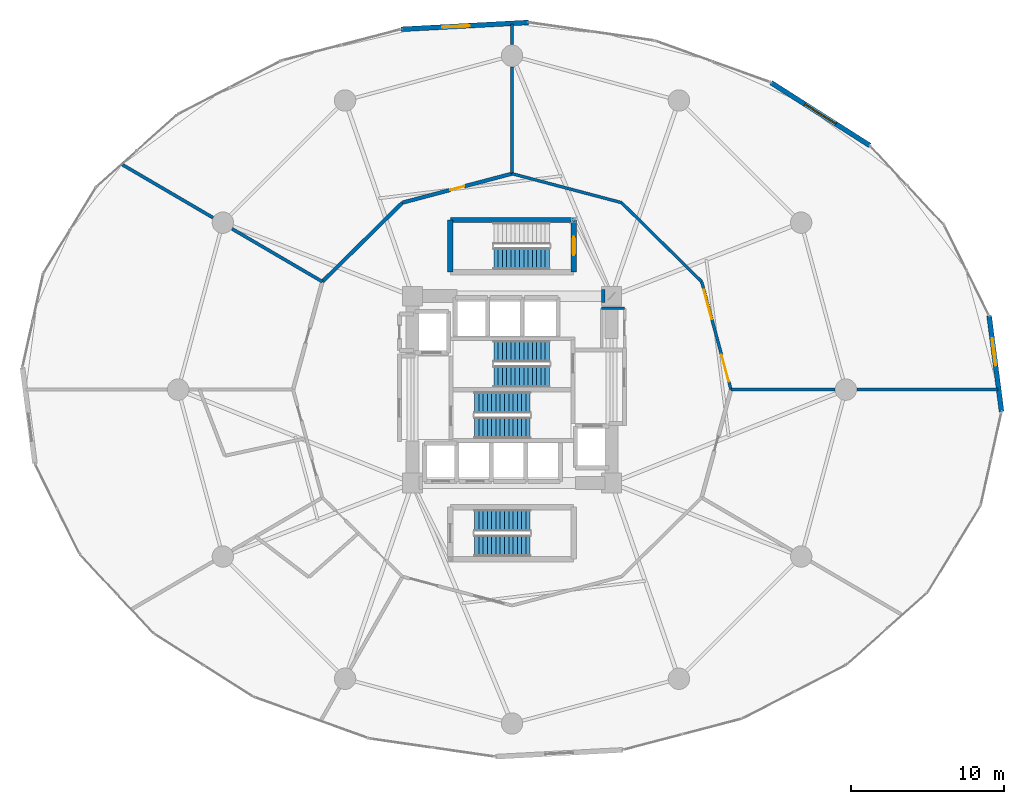
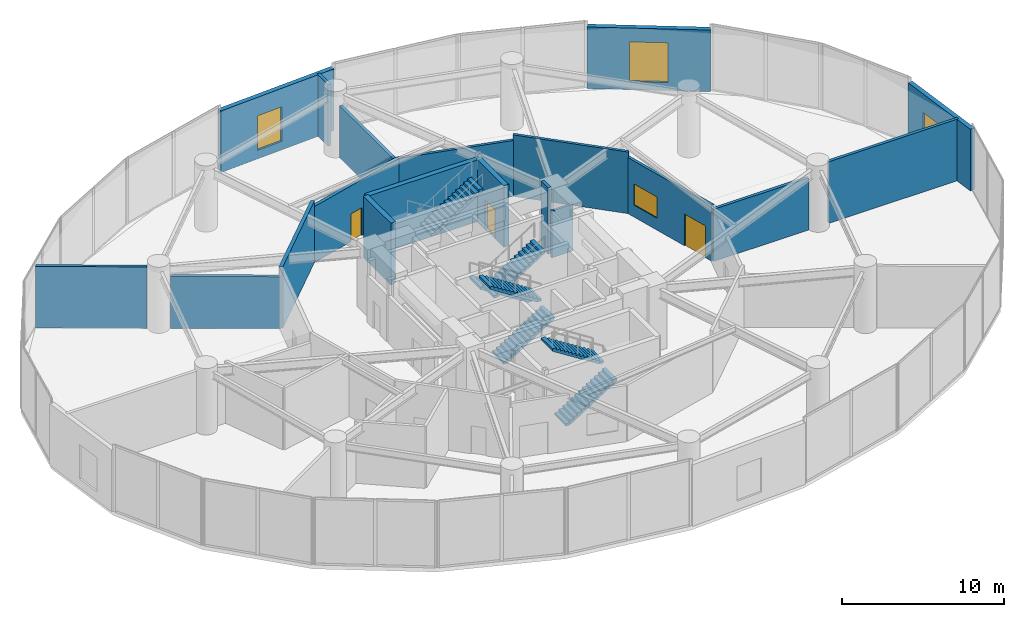
# One storey, part 27 of 31: 19 walls, 7 stair flights, 4 windows, 3 doors, 7 openings, 4 elements without a shape of their own.
"""IFC4 building model written with IfcOpenShell, lengths in metres."""

import ifcopenshell
import ifcopenshell.guid

model = None  # the IFC model being written
_history = None  # IfcOwnerHistory: only IFC2X3 demands one
_inside = {}  # id of a spatial element -> (the spatial element, [elements in it])
_under = {}  # id of a project, library or spatial element -> (it, [spatial elements below it])
_declared = {}  # id of a project -> (the project, [libraries it declares])
_typed = {}  # id of a type object -> (the type object, [elements of that type])
_made_of = {}  # id of a material, layer set ... -> (it, [elements and type objects made of it])


def new_model(schema):
    """Start an empty IFC model of exactly this schema.

    Asked for "IFC4X3", IfcOpenShell would pick the latest addendum, in which some entities
    have other attributes; the version numbers below select the first issue.
    IFC2X3 requires an IfcOwnerHistory on every rooted entity: one is made here for all.
    """
    global model, _history
    if schema == "IFC4X3":
        model = ifcopenshell.file(schema_version=(4, 3, 0, 0))
    else:
        model = ifcopenshell.file(schema=schema)
    _inside.clear()
    _under.clear()
    _declared.clear()
    _typed.clear()
    _made_of.clear()
    _history = None
    if model.schema == "IFC2X3":
        org = make("IfcOrganization", Name="unknown")
        user = make(
            "IfcPersonAndOrganization",
            ThePerson=make("IfcPerson", FamilyName="unknown"),
            TheOrganization=org,
        )
        app = make(
            "IfcApplication",
            ApplicationDeveloper=org,
            Version="unknown",
            ApplicationFullName="unknown",
            ApplicationIdentifier="unknown",
        )
        _history = make(
            "IfcOwnerHistory",
            OwningUser=user,
            OwningApplication=app,
            ChangeAction="ADDED",
            CreationDate=0,
        )
    return model


def make(cls, **values):
    """One entity of the class cls with the attributes given. An attribute that is None is left unset."""
    return model.create_entity(
        cls, **{name: value for name, value in values.items() if value is not None}
    )


def rooted(cls, **values):
    """An entity with a GlobalId (a new one), such as an element, a storey or a relation."""
    return make(cls, GlobalId=ifcopenshell.guid.new(), OwnerHistory=_history, **values)


def si_unit(unit_type, name, prefix=None):
    """IfcSIUnit, for example si_unit("LENGTHUNIT", "METRE", prefix="MILLI")."""
    return make("IfcSIUnit", UnitType=unit_type, Prefix=prefix, Name=name)


def assignment(units):
    """IfcUnitAssignment: the units of a project."""
    return None if units is None else make("IfcUnitAssignment", Units=units)


def point(xyz):
    """IfcCartesianPoint."""
    return None if xyz is None else make("IfcCartesianPoint", Coordinates=xyz)


def direction(xyz):
    """IfcDirection."""
    return None if xyz is None else make("IfcDirection", DirectionRatios=xyz)


def frame(location, z_axis=None, x_axis=None):
    """IfcAxis2Placement3D, a coordinate frame: its origin and axes. An axis left out is left unset."""
    return make(
        "IfcAxis2Placement3D",
        Location=point(location),
        Axis=direction(z_axis),
        RefDirection=direction(x_axis),
    )


def frame_2d(location, x_axis=None):
    """IfcAxis2Placement2D, a coordinate frame in the plane: its origin and x axis."""
    return make(
        "IfcAxis2Placement2D", Location=point(location), RefDirection=direction(x_axis)
    )


def origin():
    """The frame at (0, 0, 0) with its axes left unset."""
    return frame((0.0, 0.0, 0.0))


def place(relative_to, where):
    """IfcLocalPlacement: puts the frame where relative to a parent placement (None: the world)."""
    return make(
        "IfcLocalPlacement", PlacementRelTo=relative_to, RelativePlacement=where
    )


def context(
    kind, dimensions, precision=None, world=None, true_north=None, identifier=None
):
    """IfcGeometricRepresentationContext, for example the 3D "Model" context."""
    return make(
        "IfcGeometricRepresentationContext",
        ContextIdentifier=identifier,
        ContextType=kind,
        CoordinateSpaceDimension=dimensions,
        Precision=precision,
        WorldCoordinateSystem=world,
        TrueNorth=true_north,
    )


def subcontext(parent, identifier, kind, view, scale=None):
    """IfcGeometricRepresentationSubContext, for example "Body" below "Model"."""
    return make(
        "IfcGeometricRepresentationSubContext",
        ContextIdentifier=identifier,
        ContextType=kind,
        ParentContext=parent,
        TargetScale=scale,
        TargetView=view,
    )


def project(units=None, contexts=None):
    """IfcProject with its units and contexts."""
    return rooted(
        "IfcProject",
        Name="project",
        RepresentationContexts=contexts,
        UnitsInContext=assignment(units),
    )


def spatial(cls, under=None, at=None, **own):
    """A site, building, storey or space (cls), placed at a placement, below another one or the project."""
    s = rooted(cls, ObjectPlacement=at, **own)
    if under is not None:
        _under.setdefault(under.id(), (under, []))[1].append(s)
    return s


def polyline(points):
    """IfcPolyline through the points."""
    return make("IfcPolyline", Points=[point(p) for p in points])


def profile(cls, at=None, kind="AREA", **sizes):
    """A parametric profile (cls). Its sizes go by their IFC names, for example OverallWidth=200.0."""
    return make(cls, ProfileType=kind, Position=at, **sizes)


def rectangle(**sizes):
    """IfcRectangleProfileDef."""
    return profile("IfcRectangleProfileDef", **sizes)


def outline(outer, holes=None, kind="AREA"):
    """IfcArbitraryClosedProfileDef: a profile drawn as a closed curve; with holes, ...WithVoids."""
    if holes is None:
        return make("IfcArbitraryClosedProfileDef", ProfileType=kind, OuterCurve=outer)
    return make(
        "IfcArbitraryProfileDefWithVoids",
        ProfileType=kind,
        OuterCurve=outer,
        InnerCurves=holes,
    )


def extrude(swept, where, along, depth):
    """IfcExtrudedAreaSolid: the profile swept, set in the frame where, extruded along a direction by depth."""
    return make(
        "IfcExtrudedAreaSolid",
        SweptArea=swept,
        Position=where,
        ExtrudedDirection=direction(along),
        Depth=depth,
    )


def shape(context_of_items, identifier, shape_type, items):
    """IfcShapeRepresentation: the items that make up one representation, for example the "Body"."""
    return make(
        "IfcShapeRepresentation",
        ContextOfItems=context_of_items,
        RepresentationIdentifier=identifier,
        RepresentationType=shape_type,
        Items=items,
    )


def material(Name=None, Category=None):
    """IfcMaterial."""
    return make("IfcMaterial", Name=Name, Category=Category)


def layer(
    of_material, thickness, ventilated=None, Name=None, Category=None, Priority=None
):
    """IfcMaterialLayer: one layer of a wall or slab, of a material (None: an air gap)."""
    return make(
        "IfcMaterialLayer",
        Material=of_material,
        LayerThickness=thickness,
        IsVentilated=ventilated,
        Name=Name,
        Category=Category,
        Priority=Priority,
    )


def layer_set(layers, Name=None):
    """IfcMaterialLayerSet."""
    return make("IfcMaterialLayerSet", MaterialLayers=layers, LayerSetName=Name)


def made_of(thing, what):
    """Note that an element or type object is made of a material, layer set ...; save() writes the relation."""
    if what is not None:
        _made_of.setdefault(what.id(), (what, []))[1].append(thing)
    return thing


def type_object(cls, material=None, **own):
    """A type object (cls), such as IfcWallType, which elements share."""
    return made_of(rooted(cls, **own), material)


def element(
    cls,
    number,
    at=None,
    inside=None,
    cuts=None,
    type_object=None,
    material=None,
    context=None,
    identifier="Body",
    shape_type=None,
    held_by="IfcProductDefinitionShape",
    body=None,
    shapes=None,
    **own,
):
    """One element of the class cls, such as IfcWall. Its Tag is "e" and its number.

    at: its placement. inside: the storey or other place that contains it. cuts: it is an
    opening in that element (IfcRelVoidsElement). A single representation is given by context,
    identifier, shape_type and body (its items); several are given by shapes. held_by: the class
    of the entity that holds the representations. save() writes the other relations.
    """
    e = rooted(cls, Tag="e%d" % number, ObjectPlacement=at, **own)
    if body is not None:
        shapes = [shape(context, identifier, shape_type, body)]
    if shapes is not None:
        e.Representation = make(held_by, Representations=shapes)
    if inside is not None:
        _inside.setdefault(inside.id(), (inside, []))[1].append(e)
    if cuts is not None:
        rooted(
            "IfcRelVoidsElement", RelatingBuildingElement=cuts, RelatedOpeningElement=e
        )
    if type_object is not None:
        _typed.setdefault(type_object.id(), (type_object, []))[1].append(e)
    return made_of(e, material)


def fill(opening, filler):
    """IfcRelFillsElement: the door or window that sits in an opening."""
    return rooted(
        "IfcRelFillsElement",
        RelatingOpeningElement=opening,
        RelatedBuildingElement=filler,
    )


def aggregate(whole, parts):
    """IfcRelAggregates: a whole, such as a stair, and the parts it consists of."""
    return rooted("IfcRelAggregates", RelatingObject=whole, RelatedObjects=parts)


def save(model, path):
    """Write the relations noted so far, then the file.

    IfcRelAggregates (storeys below a building ...), IfcRelContainedInSpatialStructure (elements
    in a storey), IfcRelDefinesByType, IfcRelAssociatesMaterial and IfcRelDeclares: one each for
    every whole, place, type object, material and project.
    """
    for whole, parts in _under.values():
        aggregate(whole, parts)
    for where, things in _inside.values():
        rooted(
            "IfcRelContainedInSpatialStructure",
            RelatedElements=things,
            RelatingStructure=where,
        )
    for kind, things in _typed.values():
        rooted("IfcRelDefinesByType", RelatedObjects=things, RelatingType=kind)
    for what, things in _made_of.values():
        rooted("IfcRelAssociatesMaterial", RelatedObjects=things, RelatingMaterial=what)
    for by, libraries in _declared.values():
        rooted("IfcRelDeclares", RelatingContext=by, RelatedDefinitions=libraries)
    model.write(path)


model = new_model("IFC4")

# Units and contexts
model_context = context("Model", 3, precision=1e-05, world=origin(), true_north=direction((0.0, 1.0)))
body_context = subcontext(model_context, "Body", "Model", "MODEL_VIEW")
ifc_project = project(units=[si_unit("LENGTHUNIT", "METRE"), si_unit("AREAUNIT", "SQUARE_METRE"), si_unit("VOLUMEUNIT", "CUBIC_METRE"), si_unit("PLANEANGLEUNIT", "RADIAN"), si_unit("MASSUNIT", "GRAM", prefix="KILO")], contexts=[model_context])

# Site, building, storey
site_placement = place(None, origin())
site = spatial("IfcSite", under=ifc_project, at=site_placement, CompositionType="ELEMENT")
building_placement = place(site_placement, origin())
building = spatial("IfcBuilding", under=site, at=building_placement, Name="Solvirekh Grand Hotel", CompositionType="ELEMENT")
storey_placement = place(building_placement, frame((0.0, 0.0, 18.60009765625)))
storey = spatial("IfcBuildingStorey", under=building, at=storey_placement, Name="L03", CompositionType="ELEMENT", Elevation=18.60009765625)

# Wall, opening, door
ifc_material_1 = material(Name="Concrete C50/60", Category="concrete")
ifc_layer_1 = layer(ifc_material_1, 0.35009765625)
ifc_layer_set_1 = layer_set([ifc_layer_1], Name="Concrete C50/60")
wall_type_1 = type_object("IfcWallType", Name="CoreDivWall_RC350", PredefinedType="SOLIDWALL", material=ifc_layer_set_1)
wall_1_placement = place(storey_placement, frame((4.02490234375, 7.675048828125, 0.0), z_axis=(0.0, 0.0, 1.0), x_axis=(0.0, 1.0, 0.0)))
wall_1 = element("IfcWall", 1, at=wall_1_placement, inside=storey, type_object=wall_type_1, Name="L03 feature stair ST-4 east landing wall", PredefinedType="SOLIDWALL", context=body_context, shape_type="SweptSolid", body=[
    extrude(rectangle(XDim=3.39990234375, YDim=0.35009765625, at=frame_2d((1.699951171875, 0.0))), origin(), (0.0, 0.0, 1.0), 4.639892578125),
])
opening_1_placement = place(wall_1_placement, frame((1.10009765625, 0.0, 0.0)))
opening_1 = element("IfcOpeningElement", 2, at=opening_1_placement, cuts=wall_1, Name="Opening D05", PredefinedType="OPENING", context=body_context, shape_type="SweptSolid", body=[
    extrude(rectangle(XDim=1.199951171875, YDim=2.199951171875, at=frame_2d((0.60009765625, 1.10009765625))), frame((0.0, 0.18505859375, 0.0), z_axis=(0.0, -1.0, 0.0), x_axis=(1.0, 0.0, 0.0)), (0.0, 0.0, 1.0), 0.3701171875),
])
ifc_material_2 = material(Name="Fire-Rated Steel Door Assembly", Category="steel")
door_type_1 = type_object("IfcDoorType", Name="Door_StairCore_1200X2200", OperationType="NOTDEFINED", PredefinedType="DOOR", material=ifc_material_2)
door_1_placement = place(opening_1_placement, origin())
door_1 = element("IfcDoor", 3, at=door_1_placement, inside=storey, type_object=door_type_1, Name="L03 feature stair ST-4 fire door", OperationType="SINGLE_SWING_LEFT", OverallHeight=2.199951171875, OverallWidth=1.199951171875, PredefinedType="DOOR", context=body_context, shape_type="SweptSolid", body=[
    extrude(rectangle(XDim=1.199951171875, YDim=2.199951171875, at=frame_2d((0.60009765625, 1.10009765625))), frame((0.0, 0.02490234375, 0.0), z_axis=(0.0, -1.0, 0.0), x_axis=(1.0, 0.0, 0.0)), (0.0, 0.0, 1.0), 0.050048828125),
])
fill(opening_1, door_1)

# Walls
wall_2_placement = place(storey_placement, frame((4.02490234375, 11.074951171875, 0.0), z_axis=(0.0, 0.0, 1.0), x_axis=(-1.0, 0.0, 0.0)))
element("IfcWall", 4, at=wall_2_placement, inside=storey, type_object=wall_type_1, Name="L03 feature stair ST-4 N enclosure wall", PredefinedType="SOLIDWALL", context=body_context, shape_type="SweptSolid", body=[
    extrude(rectangle(XDim=8.0498046875, YDim=0.35009765625, at=frame_2d((4.02490234375, 0.0))), origin(), (0.0, 0.0, 1.0), 4.639892578125),
])
wall_3_placement = place(storey_placement, frame((-4.02490234375, 11.074951171875, 0.0), z_axis=(0.0, 0.0, 1.0), x_axis=(0.0, -1.0, 0.0)))
element("IfcWall", 5, at=wall_3_placement, inside=storey, type_object=wall_type_1, Name="L03 feature stair ST-4 W enclosure wall", PredefinedType="SOLIDWALL", context=body_context, shape_type="SweptSolid", body=[
    extrude(rectangle(XDim=3.39990234375, YDim=0.35009765625, at=frame_2d((1.699951171875, 0.0))), origin(), (0.0, 0.0, 1.0), 4.639892578125),
])
ifc_material_3 = material(Name="Concrete C60/75", Category="concrete")
ifc_layer_2 = layer(ifc_material_3, 0.85009765625)
ifc_layer_set_2 = layer_set([ifc_layer_2], Name="Concrete C60/75")
wall_type_2 = type_object("IfcWallType", Name="CoreWall_RC850", PredefinedType="SHEAR", material=ifc_layer_set_2)
wall_4_placement = place(storey_placement, frame((5.85009765625, 6.10009765625, 0.0), z_axis=(0.0, 0.0, 1.0), x_axis=(1.0, 0.0, 0.0)))
element("IfcWall", 6, at=wall_4_placement, inside=storey, type_object=wall_type_2, Name="L03 core corner shear wall NE-N", PredefinedType="SHEAR", context=body_context, shape_type="SweptSolid", body=[
    extrude(rectangle(XDim=0.224853515625, YDim=0.85009765625, at=frame_2d((0.1123046875, 0.0))), origin(), (0.0, 0.0, 1.0), 5.0),
])

# Wall, opening, window
ifc_material_4 = material(Name="Precast concrete C45/55", Category="concrete")
ifc_layer_3 = layer(ifc_material_4, 0.320068359375)
ifc_layer_set_3 = layer_set([ifc_layer_3], Name="Precast concrete C45/55")
wall_type_3 = type_object("IfcWallType", Name="ExtLobbyWall_RC320", PredefinedType="SOLIDWALL", material=ifc_layer_set_3)
wall_5_placement = place(storey_placement, frame((31.156005859375, 4.824951171875, 0.0), z_axis=(0.0, 0.0, 1.0), x_axis=(0.128759904048, -0.99167579738, 0.0)))
wall_5 = element("IfcWall", 7, at=wall_5_placement, inside=storey, type_object=wall_type_3, Name="L03 exterior structural wall chord 1", PredefinedType="SOLIDWALL", context=body_context, shape_type="SweptSolid", body=[
    extrude(rectangle(XDim=6.306396484375, YDim=0.320068359375, at=frame_2d((3.1533203125, 0.0))), origin(), (0.0, 0.0, 1.0), 4.639892578125),
])
opening_2_placement = place(wall_5_placement, frame((1.47998046875, 0.0, 0.64990234375)))
opening_2 = element("IfcOpeningElement", 8, at=opening_2_placement, cuts=wall_5, Name="Opening W02", PredefinedType="OPENING", context=body_context, shape_type="SweptSolid", body=[
    extrude(rectangle(XDim=1.800048828125, YDim=2.60009765625, at=frame_2d((0.89990234375, 1.300048828125))), frame((0.0, 0.169921875, 0.0), z_axis=(0.0, -1.0, 0.0), x_axis=(1.0, 0.0, 0.0)), (0.0, 0.0, 1.0), 0.340087890625),
])
ifc_material_5 = material(Name="Low-E Tinted Bronze Laminated Glass", Category="aluminium")
window_type_1 = type_object("IfcWindowType", Name="Win_LobbyExt_1800X2600", PartitioningType="SINGLE_PANEL", PredefinedType="WINDOW", material=ifc_material_5)
window_1_placement = place(opening_2_placement, origin())
window_1 = element("IfcWindow", 9, at=window_1_placement, inside=storey, type_object=window_type_1, Name="L03 panoramic bronze-framed window 1", OverallHeight=2.60009765625, OverallWidth=1.800048828125, PartitioningType="SINGLE_PANEL", PredefinedType="WINDOW", context=body_context, shape_type="SweptSolid", body=[
    extrude(rectangle(XDim=1.800048828125, YDim=2.60009765625, at=frame_2d((0.89990234375, 1.300048828125))), frame((0.0, 0.030029296875, 0.0), z_axis=(0.0, -1.0, 0.0), x_axis=(1.0, 0.0, 0.0)), (0.0, 0.0, 1.0), 0.06005859375),
])
fill(opening_2, window_1)

wall_6_placement = place(storey_placement, frame((16.912109375, 20.049072265625, 0.0), z_axis=(0.0, 0.0, 1.0), x_axis=(0.843612842216, -0.536951927502, 0.0)))
wall_6 = element("IfcWall", 10, at=wall_6_placement, inside=storey, type_object=wall_type_3, Name="L03 exterior structural wall chord 4", PredefinedType="SOLIDWALL", context=body_context, shape_type="SweptSolid", body=[
    extrude(rectangle(XDim=7.646728515625, YDim=0.320068359375, at=frame_2d((3.8232421875, 0.0))), origin(), (0.0, 0.0, 1.0), 4.639892578125),
])
opening_3_placement = place(wall_6_placement, frame((2.623046875, 0.0, 0.60009765625)))
opening_3 = element("IfcOpeningElement", 11, at=opening_3_placement, cuts=wall_6, Name="Opening SK01", PredefinedType="OPENING", context=body_context, shape_type="SweptSolid", body=[
    extrude(rectangle(XDim=2.39990234375, YDim=3.0, at=frame_2d((1.199951171875, 1.5))), frame((0.0, 0.169921875, 0.0), z_axis=(0.0, -1.0, 0.0), x_axis=(1.0, 0.0, 0.0)), (0.0, 0.0, 1.0), 0.340087890625),
])
ifc_material_6 = material(Name="Champagne Low-Iron Crown Laminated Glass", Category="glass")
window_type_2 = type_object("IfcWindowType", Name="Skylight_Podium_2400X3000", PartitioningType="SINGLE_PANEL", PredefinedType="SKYLIGHT", material=ifc_material_6)
window_2_placement = place(opening_3_placement, origin())
window_2 = element("IfcWindow", 12, at=window_2_placement, inside=storey, type_object=window_type_2, Name="L03 high-level clerestory skylight 4", OverallHeight=3.0, OverallWidth=2.39990234375, PartitioningType="SINGLE_PANEL", PredefinedType="SKYLIGHT", context=body_context, shape_type="SweptSolid", body=[
    extrude(rectangle(XDim=2.39990234375, YDim=3.0, at=frame_2d((1.199951171875, 1.5))), frame((0.0, 0.030029296875, 0.0), z_axis=(0.0, -1.0, 0.0), x_axis=(1.0, 0.0, 0.0)), (0.0, 0.0, 1.0), 0.06005859375),
])
fill(opening_3, window_2)

wall_7_placement = place(storey_placement, frame((-7.238037109375, 23.529052734375, 0.0), z_axis=(0.0, 0.0, 1.0), x_axis=(0.998556298709, 0.053715159026, 0.0)))
wall_7 = element("IfcWall", 13, at=wall_7_placement, inside=storey, type_object=wall_type_3, Name="L03 exterior structural wall chord 7", PredefinedType="SOLIDWALL", context=body_context, shape_type="SweptSolid", body=[
    extrude(rectangle(XDim=8.322021484375, YDim=0.320068359375, at=frame_2d((4.1611328125, 0.0))), origin(), (0.0, 0.0, 1.0), 4.639892578125),
])
opening_4_placement = place(wall_7_placement, frame((2.673095703125, 0.0, 0.64990234375)))
opening_4 = element("IfcOpeningElement", 14, at=opening_4_placement, cuts=wall_7, Name="Opening W02", PredefinedType="OPENING", context=body_context, shape_type="SweptSolid", body=[
    extrude(rectangle(XDim=1.800048828125, YDim=2.60009765625, at=frame_2d((0.89990234375, 1.300048828125))), frame((0.0, 0.169921875, 0.0), z_axis=(0.0, -1.0, 0.0), x_axis=(1.0, 0.0, 0.0)), (0.0, 0.0, 1.0), 0.340087890625),
])
window_3_placement = place(opening_4_placement, origin())
window_3 = element("IfcWindow", 15, at=window_3_placement, inside=storey, type_object=window_type_1, Name="L03 panoramic bronze-framed window 7", OverallHeight=2.60009765625, OverallWidth=1.800048828125, PartitioningType="SINGLE_PANEL", PredefinedType="WINDOW", context=body_context, shape_type="SweptSolid", body=[
    extrude(rectangle(XDim=1.800048828125, YDim=2.60009765625, at=frame_2d((0.89990234375, 1.300048828125))), frame((0.0, 0.030029296875, 0.0), z_axis=(0.0, -1.0, 0.0), x_axis=(1.0, 0.0, 0.0)), (0.0, 0.0, 1.0), 0.06005859375),
])
fill(opening_4, window_3)

# Wall
ifc_material_7 = material(Name="Acoustic Gypsum Partition Assembly")
ifc_layer_4 = layer(ifc_material_7, 0.1650390625)
ifc_layer_set_4 = layer_set([ifc_layer_4], Name="Acoustic Gypsum Partition Assembly")
wall_type_4 = type_object("IfcWallType", Name="Part_BOH_165", PredefinedType="PARTITIONING", material=ifc_layer_set_4)
wall_8_placement = place(storey_placement, frame((7.35009765625, 5.300048828125, 0.0), z_axis=(0.0, 0.0, 1.0), x_axis=(-1.0, 0.0, 0.0)))
element("IfcWall", 16, at=wall_8_placement, inside=storey, type_object=wall_type_4, Name="L03 L03 Core Housekeeping & Linen Room wall 3", PredefinedType="PARTITIONING", context=body_context, shape_type="SweptSolid", body=[
    extrude(rectangle(XDim=1.5, YDim=0.1650390625, at=frame_2d((0.75, 0.0))), origin(), (0.0, 0.0, 1.0), 3.52490234375),
])

# Wall, opening, door
ifc_layer_5 = layer(ifc_material_7, 0.239990234375)
ifc_layer_set_5 = layer_set([ifc_layer_5], Name="Acoustic Gypsum Partition Assembly")
wall_type_5 = type_object("IfcWallType", Name="Part_Corridor_240", PredefinedType="PARTITIONING", material=ifc_layer_set_5)
wall_9_placement = place(storey_placement, frame((0.0, 14.10009765625, 0.0), z_axis=(0.0, 0.0, 1.0), x_axis=(-0.966820901533, -0.255455170937, 0.0)))
wall_9 = element("IfcWall", 17, at=wall_9_placement, inside=storey, type_object=wall_type_5, Name="L03 Diplomatic Summit Boardroom corridor wall", PredefinedType="PARTITIONING", context=body_context, shape_type="SweptSolid", body=[
    extrude(rectangle(XDim=7.395263671875, YDim=0.239990234375, at=frame_2d((3.69775390625, 0.0))), origin(), (0.0, 0.0, 1.0), 4.218994140625),
])
opening_5_placement = place(wall_9_placement, frame((3.222900390625, 0.0, 0.0)))
opening_5 = element("IfcOpeningElement", 18, at=opening_5_placement, cuts=wall_9, Name="Opening D10", PredefinedType="OPENING", context=body_context, shape_type="SweptSolid", body=[
    extrude(rectangle(XDim=0.949951171875, YDim=2.10009765625, at=frame_2d((0.47509765625, 1.050048828125))), frame((0.0, 0.1298828125, 0.0), z_axis=(0.0, -1.0, 0.0), x_axis=(1.0, 0.0, 0.0)), (0.0, 0.0, 1.0), 0.260009765625),
])
ifc_material_8 = material(Name="Anodized Bronze Aluminium 6063-T6", Category="aluminium")
door_type_2 = type_object("IfcDoorType", Name="Door_RoomInt_950X2100", OperationType="NOTDEFINED", PredefinedType="DOOR", material=ifc_material_8)
door_2_placement = place(opening_5_placement, origin())
door_2 = element("IfcDoor", 19, at=door_2_placement, inside=storey, type_object=door_type_2, Name="L03 Diplomatic Summit Boardroom entrance door", OperationType="SINGLE_SWING_LEFT", OverallHeight=2.10009765625, OverallWidth=0.949951171875, PredefinedType="DOOR", context=body_context, shape_type="SweptSolid", body=[
    extrude(rectangle(XDim=0.949951171875, YDim=2.10009765625, at=frame_2d((0.47509765625, 1.050048828125))), frame((0.0, 0.02490234375, 0.0), z_axis=(0.0, -1.0, 0.0), x_axis=(1.0, 0.0, 0.0)), (0.0, 0.0, 1.0), 0.050048828125),
])
fill(opening_5, door_2)

# Wall
wall_10_placement = place(storey_placement, frame((-7.14990234375, 12.2109375, 0.0), z_axis=(0.0, 0.0, 1.0), x_axis=(-0.712071304345, -0.702107155303, 0.0)))
element("IfcWall", 20, at=wall_10_placement, inside=storey, type_object=wall_type_5, Name="L03 Diplomatic Summit Boardroom corridor wall 2", PredefinedType="PARTITIONING", context=body_context, shape_type="SweptSolid", body=[
    extrude(rectangle(XDim=7.3505859375, YDim=0.239990234375, at=frame_2d((3.67529296875, 0.0))), origin(), (0.0, 0.0, 1.0), 4.639892578125),
])

# Wall, openings, door, window
ifc_layer_6 = layer(ifc_material_7, 0.18994140625)
ifc_layer_set_6 = layer_set([ifc_layer_6], Name="Acoustic Gypsum Partition Assembly")
wall_type_6 = type_object("IfcWallType", Name="Part_GuestDemise_190", PredefinedType="PARTITIONING", material=ifc_layer_set_6)
wall_11_placement = place(storey_placement, frame((14.300048828125, 0.0, 0.0), z_axis=(0.0, 0.0, 1.0), x_axis=(-0.262260528785, 0.964997106235, 0.0)))
wall_11 = element("IfcWall", 21, at=wall_11_placement, inside=storey, type_object=wall_type_6, Name="L03 Plenary Conference Auditorium corridor wall", PredefinedType="PARTITIONING", context=body_context, shape_type="SweptSolid", body=[
    extrude(rectangle(XDim=7.3056640625, YDim=0.18994140625, at=frame_2d((3.65283203125, 0.0))), origin(), (0.0, 0.0, 1.0), 4.218994140625),
])
opening_6_placement = place(wall_11_placement, frame((0.550048828125, 0.0, 0.0)))
opening_6 = element("IfcOpeningElement", 22, at=opening_6_placement, cuts=wall_11, Name="Opening D11", PredefinedType="OPENING", context=body_context, shape_type="SweptSolid", body=[
    extrude(rectangle(XDim=1.800048828125, YDim=2.39990234375, at=frame_2d((0.89990234375, 1.199951171875))), frame((0.0, 0.10498046875, 0.0), z_axis=(0.0, -1.0, 0.0), x_axis=(1.0, 0.0, 0.0)), (0.0, 0.0, 1.0), 0.2099609375),
])
opening_7_placement = place(wall_11_placement, frame((4.756103515625, 0.0, 0.89990234375)))
opening_7 = element("IfcOpeningElement", 23, at=opening_7_placement, cuts=wall_11, Name="Opening W03", PredefinedType="OPENING", context=body_context, shape_type="SweptSolid", body=[
    extrude(rectangle(XDim=2.0, YDim=1.60009765625, at=frame_2d((1.0, 0.800048828125))), frame((0.0, 0.10498046875, 0.0), z_axis=(0.0, -1.0, 0.0), x_axis=(1.0, 0.0, 0.0)), (0.0, 0.0, 1.0), 0.2099609375),
])
door_type_3 = type_object("IfcDoorType", Name="Door_Ballroom_1800X2400", OperationType="NOTDEFINED", PredefinedType="DOOR", material=ifc_material_2)
door_3_placement = place(opening_6_placement, origin())
door_3 = element("IfcDoor", 24, at=door_3_placement, inside=storey, type_object=door_type_3, Name="L03 Plenary Conference Auditorium entrance door", OperationType="SINGLE_SWING_RIGHT", OverallHeight=2.39990234375, OverallWidth=1.800048828125, PredefinedType="DOOR", context=body_context, shape_type="SweptSolid", body=[
    extrude(rectangle(XDim=1.800048828125, YDim=2.39990234375, at=frame_2d((0.89990234375, 1.199951171875))), frame((0.0, 0.02490234375, 0.0), z_axis=(0.0, -1.0, 0.0), x_axis=(1.0, 0.0, 0.0)), (0.0, 0.0, 1.0), 0.050048828125),
])
fill(opening_6, door_3)
ifc_material_9 = material(Name="Fire-Rated Ceramic Glazing", Category="glass")
window_type_3 = type_object("IfcWindowType", Name="Win_FoyerInt_2000X1600", PartitioningType="SINGLE_PANEL", PredefinedType="WINDOW", material=ifc_material_9)
window_4_placement = place(opening_7_placement, origin())
window_4 = element("IfcWindow", 25, at=window_4_placement, inside=storey, type_object=window_type_3, Name="L03 Plenary Conference Auditorium interior glazed screen", OverallHeight=1.60009765625, OverallWidth=2.0, PartitioningType="SINGLE_PANEL", PredefinedType="WINDOW", context=body_context, shape_type="SweptSolid", body=[
    extrude(rectangle(XDim=2.0, YDim=1.60009765625, at=frame_2d((1.0, 0.800048828125))), frame((0.0, 0.030029296875, 0.0), z_axis=(0.0, -1.0, 0.0), x_axis=(1.0, 0.0, 0.0)), (0.0, 0.0, 1.0), 0.06005859375),
])
fill(opening_7, window_4)

# Walls
wall_12_placement = place(storey_placement, frame((12.384033203125, 7.050048828125, 0.0), z_axis=(0.0, 0.0, 1.0), x_axis=(-0.712071304345, 0.702107155303, 0.0)))
element("IfcWall", 26, at=wall_12_placement, inside=storey, type_object=wall_type_6, Name="L03 Plenary Conference Auditorium corridor wall 2", PredefinedType="PARTITIONING", context=body_context, shape_type="SweptSolid", body=[
    extrude(rectangle(XDim=7.3505859375, YDim=0.18994140625, at=frame_2d((3.67529296875, 0.0))), origin(), (0.0, 0.0, 1.0), 4.639892578125),
])
wall_13_placement = place(storey_placement, frame((7.14990234375, 12.2109375, 0.0), z_axis=(0.0, 0.0, 1.0), x_axis=(-0.966820901533, 0.255455170937, 0.0)))
element("IfcWall", 27, at=wall_13_placement, inside=storey, type_object=wall_type_6, Name="L03 Plenary Conference Auditorium corridor wall 3", PredefinedType="PARTITIONING", context=body_context, shape_type="SweptSolid", body=[
    extrude(rectangle(XDim=7.395263671875, YDim=0.18994140625, at=frame_2d((3.69775390625, 0.0))), origin(), (0.0, 0.0, 1.0), 4.218994140625),
])
ifc_layer_7 = layer(ifc_material_7, 0.2099609375)
ifc_layer_set_7 = layer_set([ifc_layer_7], Name="Acoustic Gypsum Partition Assembly")
wall_type_7 = type_object("IfcWallType", Name="Part_SuiteDemise_210", PredefinedType="PARTITIONING", material=ifc_layer_set_7)
wall_14_placement = place(storey_placement, frame((14.300048828125, 0.0, 0.0), z_axis=(0.0, 0.0, 1.0), x_axis=(1.0, 0.0, 0.0)))
element("IfcWall", 28, at=wall_14_placement, inside=storey, type_object=wall_type_7, Name="L03 radial demising wall 1 (A)", PredefinedType="PARTITIONING", context=body_context, shape_type="SweptSolid", body=[
    extrude(rectangle(XDim=6.780029296875, YDim=0.2099609375, at=frame_2d((3.39013671875, 0.0))), origin(), (0.0, 0.0, 1.0), 3.928955078125),
])
wall_15_placement = place(storey_placement, frame((22.52001953125, 0.0, 0.0), z_axis=(0.0, 0.0, 1.0), x_axis=(1.0, 0.0, 0.0)))
element("IfcWall", 29, at=wall_15_placement, inside=storey, type_object=wall_type_7, Name="L03 radial demising wall 1 (B)", PredefinedType="PARTITIONING", context=body_context, shape_type="SweptSolid", body=[
    extrude(rectangle(XDim=9.221923828125, YDim=0.2099609375, at=frame_2d((4.61083984375, 0.0))), origin(), (0.0, 0.0, 1.0), 4.639892578125),
])
wall_16_placement = place(storey_placement, frame((0.0, 14.10009765625, 0.0), z_axis=(0.0, 0.0, 1.0), x_axis=(0.0, 1.0, 0.0)))
element("IfcWall", 30, at=wall_16_placement, inside=storey, type_object=wall_type_7, Name="L03 radial demising wall 4 (A)", PredefinedType="PARTITIONING", context=body_context, shape_type="SweptSolid", body=[
    extrude(rectangle(XDim=6.97998046875, YDim=0.2099609375, at=frame_2d((3.489990234375, 0.0))), origin(), (0.0, 0.0, 1.0), 3.928955078125),
])
wall_17_placement = place(storey_placement, frame((0.0, 22.52001953125, 0.0), z_axis=(0.0, 0.0, 1.0), x_axis=(0.0, 1.0, 0.0)))
element("IfcWall", 31, at=wall_17_placement, inside=storey, type_object=wall_type_7, Name="L03 radial demising wall 4 (B)", PredefinedType="PARTITIONING", context=body_context, shape_type="SweptSolid", body=[
    extrude(rectangle(XDim=1.35791015625, YDim=0.2099609375, at=frame_2d((0.678955078125, 0.0))), origin(), (0.0, 0.0, 1.0), 4.639892578125),
])
wall_18_placement = place(storey_placement, frame((-12.384033203125, 7.050048828125, 0.0), z_axis=(0.0, 0.0, 1.0), x_axis=(-0.863200238908, 0.504861711313, 0.0)))
element("IfcWall", 32, at=wall_18_placement, inside=storey, type_object=wall_type_7, Name="L03 radial demising wall 6 (A)", PredefinedType="PARTITIONING", context=body_context, shape_type="SweptSolid", body=[
    extrude(rectangle(XDim=6.83154296875, YDim=0.2099609375, at=frame_2d((3.415771484375, 0.0))), origin(), (0.0, 0.0, 1.0), 3.928955078125),
])
wall_19_placement = place(storey_placement, frame((-19.52099609375, 11.22509765625, 0.0), z_axis=(0.0, 0.0, 1.0), x_axis=(-0.863178834924, 0.504898305542, 0.0)))
element("IfcWall", 33, at=wall_19_placement, inside=storey, type_object=wall_type_7, Name="L03 radial demising wall 6 (B)", PredefinedType="PARTITIONING", context=body_context, shape_type="SweptSolid", body=[
    extrude(rectangle(XDim=6.86865234375, YDim=0.2099609375, at=frame_2d((3.434326171875, 0.0))), origin(), (0.0, 0.0, 1.0), 4.639892578125),
])

# Stair, stair flights
ifc_material_10 = material(Name="Concrete C40/50", Category="concrete")
stair_type_1 = type_object("IfcStairType", Name="Stair_Core_1450", PredefinedType="HALF_TURN_STAIR", material=ifc_material_10)
stair_1_placement = place(storey_placement, origin())
stair_1 = element("IfcStair", 34, at=stair_1_placement, inside=storey, type_object=stair_type_1, Name="L03 Enclosed exit stair ST-1", PredefinedType="HALF_TURN_STAIR")
stair_flight_type_1 = type_object("IfcStairFlightType", Name="Flight_Core_1450", PredefinedType="STRAIGHT", material=ifc_material_10)
stair_flight_1_placement = place(storey_placement, frame((-2.449951171875, -2.5, 0.0), z_axis=(0.0, 0.0, 1.0), x_axis=(1.0, 0.0, 0.0)))
stair_flight_1 = element("IfcStairFlight", 35, at=stair_flight_1_placement, type_object=stair_flight_type_1, Name="ST-1 flight 1", NumberOfRisers=14, NumberOfTreads=13, PredefinedType="STRAIGHT", RiserHeight=0.178571429, TreadLength=0.28, context=body_context, shape_type="SweptSolid", body=[
    extrude(outline(polyline([(0.0, 0.0), (0.0, 0.178466796875), (0.280029296875, 0.178466796875), (0.280029296875, 0.357177734375), (0.56005859375, 0.357177734375), (0.56005859375, 0.53564453125), (0.840087890625, 0.53564453125), (0.840087890625, 0.71435546875), (1.1201171875, 0.71435546875), (1.1201171875, 0.892822265625), (1.39990234375, 0.892822265625), (1.39990234375, 1.071533203125), (1.679931640625, 1.071533203125), (1.679931640625, 1.25), (1.9599609375, 1.25), (1.9599609375, 1.428466796875), (2.239990234375, 1.428466796875), (2.239990234375, 1.607177734375), (2.52001953125, 1.607177734375), (2.52001953125, 1.78564453125), (2.800048828125, 1.78564453125), (2.800048828125, 1.96435546875), (3.080078125, 1.96435546875), (3.080078125, 2.142822265625), (3.360107421875, 2.142822265625), (3.360107421875, 2.321533203125), (3.639892578125, 2.321533203125), (3.639892578125, 2.5), (3.639892578125, 2.1435546875), (0.27880859375, 0.0), (0.0, 0.0)])), frame((0.0, 0.699951171875, 0.0), z_axis=(0.0, -1.0, 0.0), x_axis=(1.0, 0.0, 0.0)), (0.0, 0.0, 1.0), 1.39990234375),
])
stair_flight_2_placement = place(storey_placement, frame((1.18994140625, -0.85009765625, 2.5), z_axis=(0.0, 0.0, 1.0), x_axis=(-1.0, 0.0, 0.0)))
stair_flight_2 = element("IfcStairFlight", 36, at=stair_flight_2_placement, type_object=stair_flight_type_1, Name="ST-1 flight 2", NumberOfRisers=14, NumberOfTreads=13, PredefinedType="STRAIGHT", RiserHeight=0.178571429, TreadLength=0.28, context=body_context, shape_type="SweptSolid", body=[
    extrude(outline(polyline([(0.0, 0.0), (0.0, 0.178466796875), (0.280029296875, 0.178466796875), (0.280029296875, 0.357177734375), (0.56005859375, 0.357177734375), (0.56005859375, 0.53564453125), (0.840087890625, 0.53564453125), (0.840087890625, 0.71435546875), (1.1201171875, 0.71435546875), (1.1201171875, 0.892822265625), (1.39990234375, 0.892822265625), (1.39990234375, 1.071533203125), (1.679931640625, 1.071533203125), (1.679931640625, 1.25), (1.9599609375, 1.25), (1.9599609375, 1.428466796875), (2.239990234375, 1.428466796875), (2.239990234375, 1.607177734375), (2.52001953125, 1.607177734375), (2.52001953125, 1.78564453125), (2.800048828125, 1.78564453125), (2.800048828125, 1.96435546875), (3.080078125, 1.96435546875), (3.080078125, 2.142822265625), (3.360107421875, 2.142822265625), (3.360107421875, 2.321533203125), (3.639892578125, 2.321533203125), (3.639892578125, 2.5), (3.639892578125, 2.1435546875), (0.27880859375, 0.0), (0.0, 0.0)])), frame((0.0, 0.699951171875, 0.0), z_axis=(0.0, -1.0, 0.0), x_axis=(1.0, 0.0, 0.0)), (0.0, 0.0, 1.0), 1.39990234375),
])
aggregate(stair_1, [stair_flight_1, stair_flight_2])

stair_2_placement = place(storey_placement, origin())
stair_2 = element("IfcStair", 37, at=stair_2_placement, inside=storey, type_object=stair_type_1, Name="L03 Enclosed exit stair ST-2", PredefinedType="HALF_TURN_STAIR")
stair_flight_3_placement = place(storey_placement, frame((2.449951171875, 2.5, 0.0), z_axis=(0.0, 0.0, 1.0), x_axis=(-1.0, 0.0, 0.0)))
stair_flight_3 = element("IfcStairFlight", 38, at=stair_flight_3_placement, type_object=stair_flight_type_1, Name="ST-2 flight 1", NumberOfRisers=14, NumberOfTreads=13, PredefinedType="STRAIGHT", RiserHeight=0.178571429, TreadLength=0.28, context=body_context, shape_type="SweptSolid", body=[
    extrude(outline(polyline([(0.0, 0.0), (0.0, 0.178466796875), (0.280029296875, 0.178466796875), (0.280029296875, 0.357177734375), (0.56005859375, 0.357177734375), (0.56005859375, 0.53564453125), (0.840087890625, 0.53564453125), (0.840087890625, 0.71435546875), (1.1201171875, 0.71435546875), (1.1201171875, 0.892822265625), (1.39990234375, 0.892822265625), (1.39990234375, 1.071533203125), (1.679931640625, 1.071533203125), (1.679931640625, 1.25), (1.9599609375, 1.25), (1.9599609375, 1.428466796875), (2.239990234375, 1.428466796875), (2.239990234375, 1.607177734375), (2.52001953125, 1.607177734375), (2.52001953125, 1.78564453125), (2.800048828125, 1.78564453125), (2.800048828125, 1.96435546875), (3.080078125, 1.96435546875), (3.080078125, 2.142822265625), (3.360107421875, 2.142822265625), (3.360107421875, 2.321533203125), (3.639892578125, 2.321533203125), (3.639892578125, 2.5), (3.639892578125, 2.1435546875), (0.27880859375, 0.0), (0.0, 0.0)])), frame((0.0, 0.699951171875, 0.0), z_axis=(0.0, -1.0, 0.0), x_axis=(1.0, 0.0, 0.0)), (0.0, 0.0, 1.0), 1.39990234375),
])
stair_flight_4_placement = place(storey_placement, frame((-1.18994140625, 0.85009765625, 2.5), z_axis=(0.0, 0.0, 1.0), x_axis=(1.0, 0.0, 0.0)))
stair_flight_4 = element("IfcStairFlight", 39, at=stair_flight_4_placement, type_object=stair_flight_type_1, Name="ST-2 flight 2", NumberOfRisers=14, NumberOfTreads=13, PredefinedType="STRAIGHT", RiserHeight=0.178571429, TreadLength=0.28, context=body_context, shape_type="SweptSolid", body=[
    extrude(outline(polyline([(0.0, 0.0), (0.0, 0.178466796875), (0.280029296875, 0.178466796875), (0.280029296875, 0.357177734375), (0.56005859375, 0.357177734375), (0.56005859375, 0.53564453125), (0.840087890625, 0.53564453125), (0.840087890625, 0.71435546875), (1.1201171875, 0.71435546875), (1.1201171875, 0.892822265625), (1.39990234375, 0.892822265625), (1.39990234375, 1.071533203125), (1.679931640625, 1.071533203125), (1.679931640625, 1.25), (1.9599609375, 1.25), (1.9599609375, 1.428466796875), (2.239990234375, 1.428466796875), (2.239990234375, 1.607177734375), (2.52001953125, 1.607177734375), (2.52001953125, 1.78564453125), (2.800048828125, 1.78564453125), (2.800048828125, 1.96435546875), (3.080078125, 1.96435546875), (3.080078125, 2.142822265625), (3.360107421875, 2.142822265625), (3.360107421875, 2.321533203125), (3.639892578125, 2.321533203125), (3.639892578125, 2.5), (3.639892578125, 2.1435546875), (0.27880859375, 0.0), (0.0, 0.0)])), frame((0.0, 0.699951171875, 0.0), z_axis=(0.0, -1.0, 0.0), x_axis=(1.0, 0.0, 0.0)), (0.0, 0.0, 1.0), 1.39990234375),
])
aggregate(stair_2, [stair_flight_3, stair_flight_4])

# Stair, stair flight
ifc_material_11 = material(Name="Steel S355", Category="steel")
stair_type_2 = type_object("IfcStairType", Name="Stair_Grand_2000", PredefinedType="STRAIGHT_RUN_STAIR", material=ifc_material_11)
stair_3_placement = place(storey_placement, origin())
stair_3 = element("IfcStair", 40, at=stair_3_placement, inside=storey, type_object=stair_type_2, Name="L03 Enclosed exit stair ST-4", PredefinedType="STRAIGHT_RUN_STAIR")
stair_flight_type_2 = type_object("IfcStairFlightType", Name="Flight_Grand_2000", PredefinedType="STRAIGHT", material=ifc_material_11)
stair_flight_5_placement = place(storey_placement, frame((-1.18994140625, 8.550048828125, 2.5), z_axis=(0.0, 0.0, 1.0), x_axis=(1.0, 0.0, 0.0)))
stair_flight_5 = element("IfcStairFlight", 41, at=stair_flight_5_placement, type_object=stair_flight_type_2, Name="ST-4 flight 2", NumberOfRisers=14, NumberOfTreads=13, PredefinedType="STRAIGHT", RiserHeight=0.178571429, TreadLength=0.28, context=body_context, shape_type="SweptSolid", body=[
    extrude(outline(polyline([(0.0, 0.0), (0.0, 0.178466796875), (0.280029296875, 0.178466796875), (0.280029296875, 0.357177734375), (0.56005859375, 0.357177734375), (0.56005859375, 0.53564453125), (0.840087890625, 0.53564453125), (0.840087890625, 0.71435546875), (1.1201171875, 0.71435546875), (1.1201171875, 0.892822265625), (1.39990234375, 0.892822265625), (1.39990234375, 1.071533203125), (1.679931640625, 1.071533203125), (1.679931640625, 1.25), (1.9599609375, 1.25), (1.9599609375, 1.428466796875), (2.239990234375, 1.428466796875), (2.239990234375, 1.607177734375), (2.52001953125, 1.607177734375), (2.52001953125, 1.78564453125), (2.800048828125, 1.78564453125), (2.800048828125, 1.96435546875), (3.080078125, 1.96435546875), (3.080078125, 2.142822265625), (3.360107421875, 2.142822265625), (3.360107421875, 2.321533203125), (3.639892578125, 2.321533203125), (3.639892578125, 2.5), (3.639892578125, 2.1435546875), (0.27880859375, 0.0), (0.0, 0.0)])), frame((0.0, 0.699951171875, 0.0), z_axis=(0.0, -1.0, 0.0), x_axis=(1.0, 0.0, 0.0)), (0.0, 0.0, 1.0), 1.39990234375),
])
aggregate(stair_3, [stair_flight_5])

# Stair, stair flights
stair_type_3 = type_object("IfcStairType", Name="Stair_Pod_1600", PredefinedType="HALF_TURN_STAIR", material=ifc_material_10)
stair_4_placement = place(storey_placement, origin())
stair_4 = element("IfcStair", 42, at=stair_4_placement, inside=storey, type_object=stair_type_3, Name="L03 Enclosed exit stair ST-3", PredefinedType="HALF_TURN_STAIR")
stair_flight_type_3 = type_object("IfcStairFlightType", Name="Flight_Pod_1600", PredefinedType="STRAIGHT", material=ifc_material_10)
stair_flight_6_placement = place(storey_placement, frame((-2.449951171875, -10.199951171875, 0.0), z_axis=(0.0, 0.0, 1.0), x_axis=(1.0, 0.0, 0.0)))
stair_flight_6 = element("IfcStairFlight", 43, at=stair_flight_6_placement, type_object=stair_flight_type_3, Name="ST-3 flight 1", NumberOfRisers=14, NumberOfTreads=13, PredefinedType="STRAIGHT", RiserHeight=0.178571429, TreadLength=0.28, context=body_context, shape_type="SweptSolid", body=[
    extrude(outline(polyline([(0.0, 0.0), (0.0, 0.178466796875), (0.280029296875, 0.178466796875), (0.280029296875, 0.357177734375), (0.56005859375, 0.357177734375), (0.56005859375, 0.53564453125), (0.840087890625, 0.53564453125), (0.840087890625, 0.71435546875), (1.1201171875, 0.71435546875), (1.1201171875, 0.892822265625), (1.39990234375, 0.892822265625), (1.39990234375, 1.071533203125), (1.679931640625, 1.071533203125), (1.679931640625, 1.25), (1.9599609375, 1.25), (1.9599609375, 1.428466796875), (2.239990234375, 1.428466796875), (2.239990234375, 1.607177734375), (2.52001953125, 1.607177734375), (2.52001953125, 1.78564453125), (2.800048828125, 1.78564453125), (2.800048828125, 1.96435546875), (3.080078125, 1.96435546875), (3.080078125, 2.142822265625), (3.360107421875, 2.142822265625), (3.360107421875, 2.321533203125), (3.639892578125, 2.321533203125), (3.639892578125, 2.5), (3.639892578125, 2.1435546875), (0.27880859375, 0.0), (0.0, 0.0)])), frame((0.0, 0.699951171875, 0.0), z_axis=(0.0, -1.0, 0.0), x_axis=(1.0, 0.0, 0.0)), (0.0, 0.0, 1.0), 1.39990234375),
])
stair_flight_7_placement = place(storey_placement, frame((1.18994140625, -8.550048828125, 2.5), z_axis=(0.0, 0.0, 1.0), x_axis=(-1.0, 0.0, 0.0)))
stair_flight_7 = element("IfcStairFlight", 44, at=stair_flight_7_placement, type_object=stair_flight_type_3, Name="ST-3 flight 2", NumberOfRisers=14, NumberOfTreads=13, PredefinedType="STRAIGHT", RiserHeight=0.178571429, TreadLength=0.28, context=body_context, shape_type="SweptSolid", body=[
    extrude(outline(polyline([(0.0, 0.0), (0.0, 0.178466796875), (0.280029296875, 0.178466796875), (0.280029296875, 0.357177734375), (0.56005859375, 0.357177734375), (0.56005859375, 0.53564453125), (0.840087890625, 0.53564453125), (0.840087890625, 0.71435546875), (1.1201171875, 0.71435546875), (1.1201171875, 0.892822265625), (1.39990234375, 0.892822265625), (1.39990234375, 1.071533203125), (1.679931640625, 1.071533203125), (1.679931640625, 1.25), (1.9599609375, 1.25), (1.9599609375, 1.428466796875), (2.239990234375, 1.428466796875), (2.239990234375, 1.607177734375), (2.52001953125, 1.607177734375), (2.52001953125, 1.78564453125), (2.800048828125, 1.78564453125), (2.800048828125, 1.96435546875), (3.080078125, 1.96435546875), (3.080078125, 2.142822265625), (3.360107421875, 2.142822265625), (3.360107421875, 2.321533203125), (3.639892578125, 2.321533203125), (3.639892578125, 2.5), (3.639892578125, 2.1435546875), (0.27880859375, 0.0), (0.0, 0.0)])), frame((0.0, 0.699951171875, 0.0), z_axis=(0.0, -1.0, 0.0), x_axis=(1.0, 0.0, 0.0)), (0.0, 0.0, 1.0), 1.39990234375),
])
aggregate(stair_4, [stair_flight_6, stair_flight_7])

save(model, "model.ifc")
